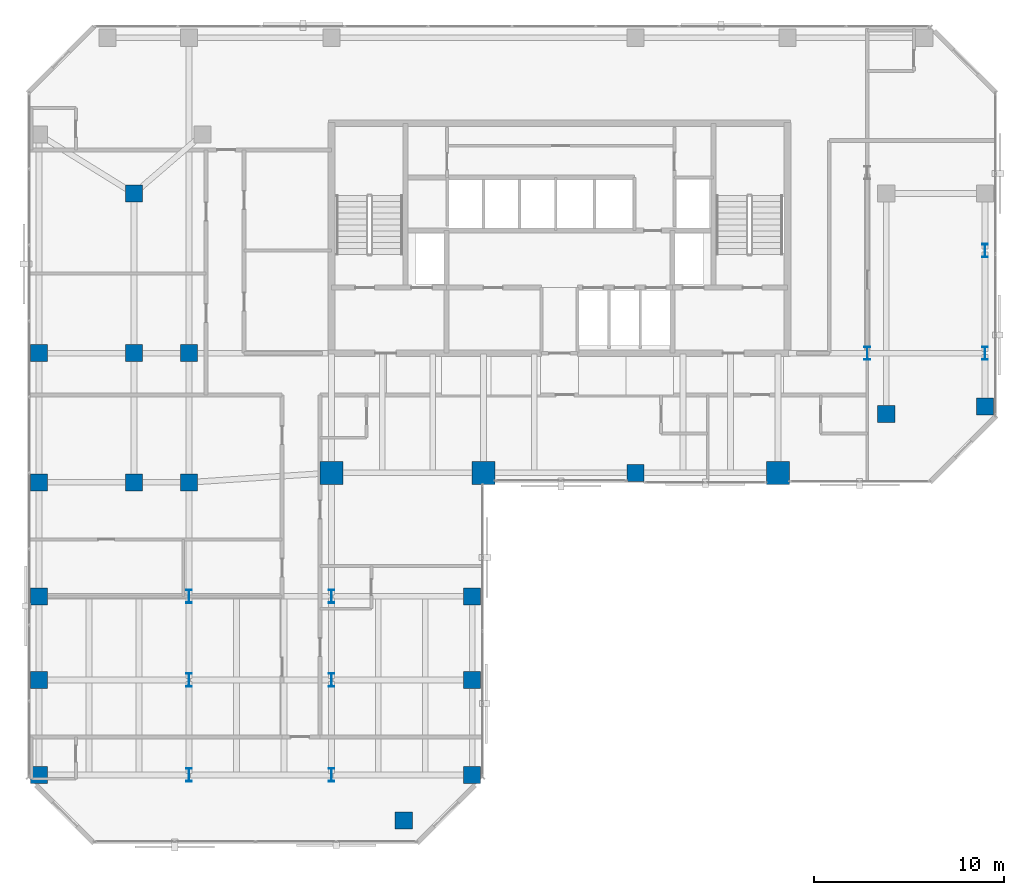
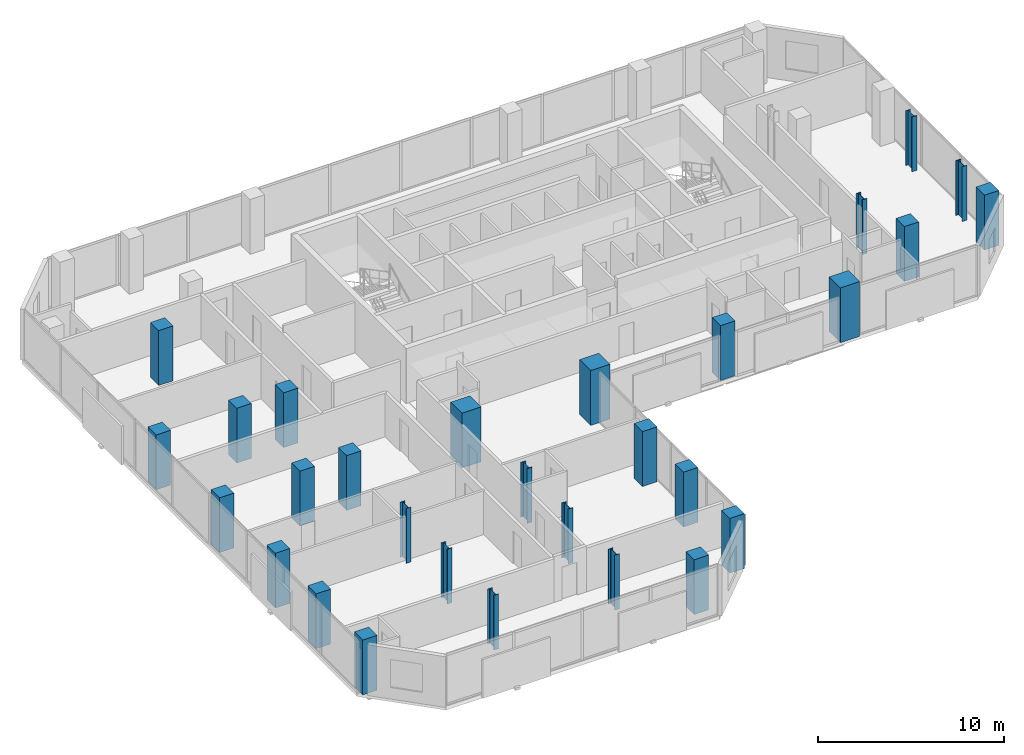
# One storey, part 1 of 33: 29 columns.
"""IFC4 building model written with IfcOpenShell, lengths in metres."""

from ifc_helpers import new_model, si_unit, direction, frame, origin, origin_2d, place, context, subcontext, project, spatial, rectangle, i_section, extrude, material, material_profile, profile_set, type_object, element, save


model = new_model("IFC4")

# Units and contexts
model_context = context("Model", 3, precision=1e-05, world=origin(), true_north=direction((0.0, 1.0)))
body_context = subcontext(model_context, "Body", "Model", "MODEL_VIEW")
ifc_project = project(units=[si_unit("LENGTHUNIT", "METRE"), si_unit("AREAUNIT", "SQUARE_METRE"), si_unit("VOLUMEUNIT", "CUBIC_METRE"), si_unit("PLANEANGLEUNIT", "RADIAN"), si_unit("MASSUNIT", "GRAM", prefix="KILO")], contexts=[model_context])

# Site, building, storey
site_placement = place(None, origin())
site = spatial("IfcSite", under=ifc_project, at=site_placement, CompositionType="ELEMENT")
building_placement = place(site_placement, origin())
building = spatial("IfcBuilding", under=site, at=building_placement, Name="Catumbela Crestline Tower", CompositionType="ELEMENT")
storey_placement = place(building_placement, frame((0.0, 0.0, 108.0)))
storey = spatial("IfcBuildingStorey", under=building, at=storey_placement, Name="L27", CompositionType="ELEMENT", Elevation=108.0)

# Columns
ifc_material_1 = material(Name="Concrete C50/60", Category="concrete")
ifc_material_profile_1 = material_profile(ifc_material_1, rectangle(XDim=1.2, YDim=1.2, at=origin_2d()), Name="RC 1200x1200")
ifc_profile_set_1 = profile_set([ifc_material_profile_1], Name="Concrete C50/60")
column_type_1 = type_object("IfcColumnType", Name="C-RC1200-C50", PredefinedType="COLUMN", material=ifc_profile_set_1)
for number, where, z_axis, x_axis, name in (
    (1, (16.0, 24.5, 0.0), (0.0, 0.0, 1.0), (1.0, 0.0, 0.0), "L27 Column C-16-24 (RC 1200x1200)"),
    (2, (24.0, 24.5, 0.0), (0.0, 0.0, 1.0), (1.0, 0.0, 0.0), "L27 Column C-24-24 (RC 1200x1200)"),
    (3, (39.5, 24.5, 0.0), (0.0, 0.0, 1.0), (1.0, 0.0, 0.0), "L27 Column C-40-24 (RC 1200x1200)"),
):
    element("IfcColumn", number, at=place(storey_placement, frame(where, z_axis=z_axis, x_axis=x_axis)), inside=storey, type_object=column_type_1, Name=name, PredefinedType="COLUMN", context=body_context, shape_type="SweptSolid", body=[
        extrude(rectangle(XDim=1.2, YDim=1.2, at=origin_2d()), origin(), (0.0, 0.0, 1.0), 3.6),
    ])
ifc_material_profile_2 = material_profile(ifc_material_1, rectangle(XDim=0.9, YDim=0.9, at=origin_2d()), Name="RC 900x900")
ifc_profile_set_2 = profile_set([ifc_material_profile_2], Name="Concrete C50/60")
column_type_2 = type_object("IfcColumnType", Name="C-RC900-C50", PredefinedType="COLUMN", material=ifc_profile_set_2)
for number, where, z_axis, x_axis, name in (
    (4, (8.5, 24.0, 0.0), (0.0, 0.0, 1.0), (1.0, 0.0, 0.0), "L27 Column C-08-24 (RC 900x900)"),
    (5, (32.0, 24.5, 0.0), (0.0, 0.0, 1.0), (1.0, 0.0, 0.0), "L27 Column C-32-24 (RC 900x900)"),
    (6, (5.6, 24.0, 0.0), (0.0, 0.0, 1.0), (1.0, 0.0, 0.0), "L27 Column C-05-24 (RC 900x900)"),
    (7, (5.6, 30.8, 0.0), (0.0, 0.0, 1.0), (1.0, 0.0, 0.0), "L27 Column C-05-31 (RC 900x900)"),
    (8, (5.6, 39.2, 0.0), (0.0, 0.0, 1.0), (1.0, 0.0, 0.0), "L27 Column C-05-43 (RC 900x900)"),
    (9, (8.5, 30.8, 0.0), (0.0, 0.0, 1.0), (1.0, 0.0, 0.0), "L27 Column C-08-31 (RC 900x900)"),
    (10, (45.2, 27.6, 0.0), (0.0, 0.0, 1.0), (1.0, 0.0, 0.0), "L27 Column C-46-24 (RC 900x900)"),
    (11, (0.6, 24.0, 0.0), (0.0, 0.0, 1.0), (1.0, 0.0, 0.0), "L27 Column C-00-24 (RC 900x900)"),
    (12, (0.6, 30.8, 0.0), (0.0, 0.0, 1.0), (1.0, 0.0, 0.0), "L27 Column C-00-31 (RC 900x900)"),
    (13, (50.4, 28.0, 0.0), (0.0, 0.0, 1.0), (1.0, 0.0, 0.0), "L27 Column C-51-24 (RC 900x900)"),
    (14, (0.6, 8.6, 0.0), (0.0, 0.0, 1.0), (1.0, 0.0, 0.0), "L27 Column C-00-05 (RC 900x900)"),
    (15, (0.6, 13.6, 0.0), (0.0, 0.0, 1.0), (1.0, 0.0, 0.0), "L27 Column C-00-10 (RC 900x900)"),
    (16, (0.6, 18.0, 0.0), (0.0, 0.0, 1.0), (1.0, 0.0, 0.0), "L27 Column C-00-16 (RC 900x900)"),
    (17, (19.8, 6.2, 0.0), (0.0, 0.0, 1.0), (1.0, 0.0, 0.0), "L27 Column C-24-05 (RC 900x900)"),
    (18, (23.4, 8.6, 0.0), (0.0, 0.0, 1.0), (1.0, 0.0, 0.0), "L27 Column C-23-08 (RC 900x900)"),
    (19, (23.4, 13.6, 0.0), (0.0, 0.0, 1.0), (1.0, 0.0, 0.0), "L27 Column C-24-10 (RC 900x900)"),
    (20, (23.4, 18.0, 0.0), (0.0, 0.0, 1.0), (1.0, 0.0, 0.0), "L27 Column C-24-16 (RC 900x900)"),
):
    element("IfcColumn", number, at=place(storey_placement, frame(where, z_axis=z_axis, x_axis=x_axis)), inside=storey, type_object=column_type_2, Name=name, PredefinedType="COLUMN", context=body_context, shape_type="SweptSolid", body=[
        extrude(rectangle(XDim=0.9, YDim=0.9, at=origin_2d()), origin(), (0.0, 0.0, 1.0), 3.6),
    ])
ifc_material_2 = material(Name="Structural steel S460M", Category="steel")
ifc_material_profile_3 = material_profile(ifc_material_2, i_section(OverallWidth=0.3, OverallDepth=0.7, WebThickness=0.017, FlangeThickness=0.032, FilletRadius=0.027, at=origin_2d()), Name="HEB 700")
ifc_profile_set_3 = profile_set([ifc_material_profile_3], Name="Structural steel S460M")
column_type_3 = type_object("IfcColumnType", Name="C-ST-HEB700", PredefinedType="COLUMN", material=ifc_profile_set_3)
for number, where, z_axis, x_axis, name in (
    (21, (8.5, 8.6, 0.0), (0.0, 0.0, 1.0), (1.0, 0.0, 0.0), "L27 Column CT-05-05 (HEB 700)"),
    (22, (16.0, 8.6, 0.0), (0.0, 0.0, 1.0), (1.0, 0.0, 0.0), "L27 Column CT-14-05 (HEB 700)"),
    (23, (8.5, 13.6, 0.0), (0.0, 0.0, 1.0), (1.0, 0.0, 0.0), "L27 Column CT-05-10 (HEB 700)"),
    (24, (16.0, 13.6, 0.0), (0.0, 0.0, 1.0), (1.0, 0.0, 0.0), "L27 Column CT-14-10 (HEB 700)"),
    (25, (8.5, 18.0, 0.0), (0.0, 0.0, 1.0), (1.0, 0.0, 0.0), "L27 Column CT-05-16 (HEB 700)"),
    (26, (16.0, 18.0, 0.0), (0.0, 0.0, 1.0), (1.0, 0.0, 0.0), "L27 Column CT-14-16 (HEB 700)"),
    (27, (44.2, 30.8, 0.0), (0.0, 0.0, 1.0), (1.0, 0.0, 0.0), "L27 Column CT-46-31 (HEB 700)"),
    (28, (50.4, 30.8, 0.0), (0.0, 0.0, 1.0), (1.0, 0.0, 0.0), "L27 Column CT-51-31 (HEB 700)"),
    (29, (50.4, 36.2, 0.0), (0.0, 0.0, 1.0), (1.0, 0.0, 0.0), "L27 Column CT-51-37 (HEB 700)"),
):
    element("IfcColumn", number, at=place(storey_placement, frame(where, z_axis=z_axis, x_axis=x_axis)), inside=storey, type_object=column_type_3, Name=name, PredefinedType="COLUMN", context=body_context, shape_type="SweptSolid", body=[
        extrude(i_section(OverallWidth=0.3, OverallDepth=0.7, WebThickness=0.017, FlangeThickness=0.032, FilletRadius=0.027, at=origin_2d()), origin(), (0.0, 0.0, 1.0), 3.6),
    ])

save(model, "model.ifc")
